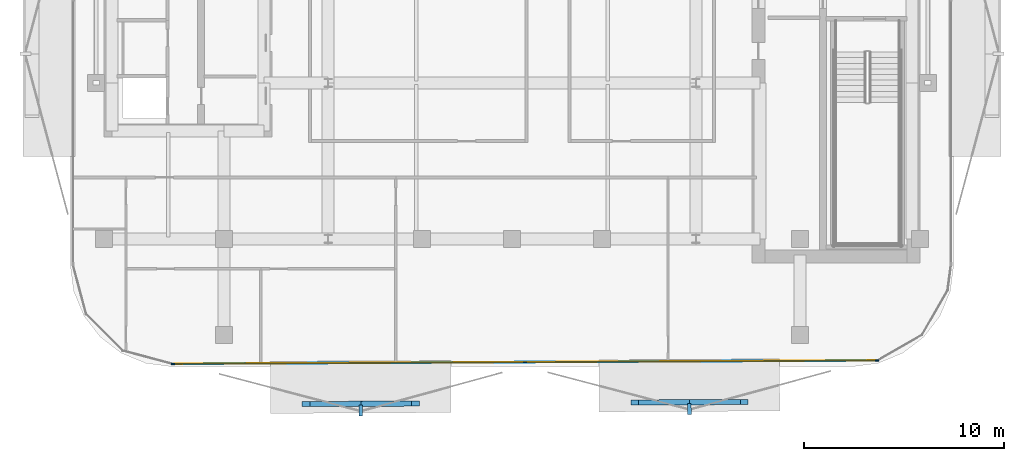
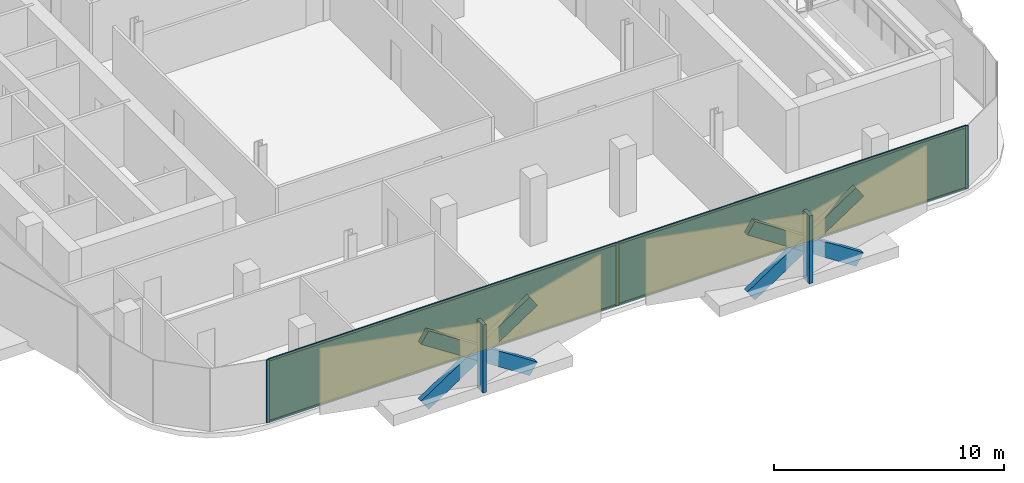
# One storey, part 7 of 14: 13 members, 2 plates, 1 curtain wall.
"""IFC4 building model written with IfcOpenShell, lengths in metres."""

from ifc_helpers import new_model, si_unit, direction, frame, frame_2d, origin, origin_2d, place, context, subcontext, project, spatial, rectangle, extrude, material, layer, layer_set, material_profile, profile_set, type_object, element, aggregate, save


model = new_model("IFC4")

# Units and contexts
model_context = context("Model", 3, precision=1e-05, world=origin(), true_north=direction((0.0, 1.0)))
body_context = subcontext(model_context, "Body", "Model", "MODEL_VIEW")
ifc_project = project(units=[si_unit("LENGTHUNIT", "METRE"), si_unit("AREAUNIT", "SQUARE_METRE"), si_unit("VOLUMEUNIT", "CUBIC_METRE"), si_unit("PLANEANGLEUNIT", "RADIAN"), si_unit("MASSUNIT", "GRAM", prefix="KILO")], contexts=[model_context])

# Member
ifc_material_1 = material(Name="Anodised Bronze Aluminium 6063-T6", Category="aluminium")
ifc_material_profile_1 = material_profile(ifc_material_1, rectangle(XDim=0.260009765625, YDim=0.699951171875, at=origin_2d()))
ifc_profile_set_1 = profile_set([ifc_material_profile_1], Name="Anodised Bronze Aluminium 6063-T6")
member_type_1 = type_object("IfcMemberType", Name="Bronze Diamond Solar-Screen Lattice Rib BDL-700", PredefinedType="MULLION", material=ifc_profile_set_1)
site_placement = place(None, origin())
building_placement = place(site_placement, origin())
storey_placement = place(building_placement, frame((0.0, 0.0, 236.800048828125)))
member_1_placement = place(storey_placement, frame((11.6142578125, -26.761962890625, -0.130126953125), z_axis=(-0.835726065421, -0.004021852556, 0.549131831419), x_axis=(-0.007495814743, 0.999963565539, -0.004084159052)))
member_1 = element("IfcMember", 1, at=member_1_placement, type_object=member_type_1, Name="L55 Bronze Diamond Solar Screen Lattice Rib 369A", PredefinedType="MULLION", context=body_context, shape_type="SweptSolid", body=[
    extrude(rectangle(XDim=0.260009765625, YDim=0.699951171875, at=origin_2d()), origin(), (0.0, 0.0, 1.0), 6.555908203125),
])

member_2_placement = place(storey_placement, frame((6.13525390625, -26.788330078125, -0.130126953125), z_axis=(0.835726065421, 0.004021852556, 0.549131831419), x_axis=(0.007495814743, -0.999963565539, -0.004084159052)))
member_2 = element("IfcMember", 2, at=member_2_placement, type_object=member_type_1, Name="L55 Bronze Diamond Solar Screen Lattice Rib 369B", PredefinedType="MULLION", context=body_context, shape_type="SweptSolid", body=[
    extrude(rectangle(XDim=0.260009765625, YDim=0.699951171875, at=origin_2d()), origin(), (0.0, 0.0, 1.0), 6.555908203125),
])

member_3_placement = place(storey_placement, frame((-4.822998046875, -26.84130859375, -0.130126953125), z_axis=(-0.835726065421, -0.004021852556, 0.549131831419), x_axis=(-0.007495814743, 0.999963565539, -0.004084159052)))
member_3 = element("IfcMember", 3, at=member_3_placement, type_object=member_type_1, Name="L55 Bronze Diamond Solar Screen Lattice Rib 370A", PredefinedType="MULLION", context=body_context, shape_type="SweptSolid", body=[
    extrude(rectangle(XDim=0.260009765625, YDim=0.699951171875, at=origin_2d()), origin(), (0.0, 0.0, 1.0), 6.555908203125),
])

member_4_placement = place(storey_placement, frame((-10.302001953125, -26.86767578125, -0.130126953125), z_axis=(0.835726065421, 0.004021852556, 0.549131831419), x_axis=(0.007495814743, -0.999963565539, -0.004084159052)))
member_4 = element("IfcMember", 4, at=member_4_placement, type_object=member_type_1, Name="L55 Bronze Diamond Solar Screen Lattice Rib 370B", PredefinedType="MULLION", context=body_context, shape_type="SweptSolid", body=[
    extrude(rectangle(XDim=0.260009765625, YDim=0.699951171875, at=origin_2d()), origin(), (0.0, 0.0, 1.0), 6.555908203125),
])

ifc_material_2 = material(Name="Anodised Bronze Aluminium 6063-T6", Category="aluminium")
ifc_material_profile_2 = material_profile(ifc_material_2, rectangle(XDim=0.179931640625, YDim=0.5400390625, at=origin_2d()))
ifc_profile_set_2 = profile_set([ifc_material_profile_2], Name="Anodised Bronze Aluminium 6063-T6")
member_type_2 = type_object("IfcMemberType", Name="Bronze Solar-Screen Vertical Fold Fin BSF-540", PredefinedType="MULLION", material=ifc_profile_set_2)
member_5_placement = place(storey_placement, frame((8.87646484375, -27.115234375, -0.130126953125), z_axis=(0.0, 0.0, 1.0), x_axis=(-0.999988059021, -0.004886902454, 0.0)))
member_5 = element("IfcMember", 5, at=member_5_placement, type_object=member_type_2, Name="L55 Bronze Solar Screen Vertical Fin 369", PredefinedType="MULLION", context=body_context, shape_type="SweptSolid", body=[
    extrude(rectangle(XDim=0.179931640625, YDim=0.5400390625, at=origin_2d()), origin(), (0.0, 0.0, 1.0), 3.60009765625),
])

member_6_placement = place(storey_placement, frame((-7.560791015625, -27.194580078125, -0.130126953125), z_axis=(0.0, 0.0, 1.0), x_axis=(-0.999988059021, -0.004886902454, 0.0)))
member_6 = element("IfcMember", 6, at=member_6_placement, type_object=member_type_2, Name="L55 Bronze Solar Screen Vertical Fin 370", PredefinedType="MULLION", context=body_context, shape_type="SweptSolid", body=[
    extrude(rectangle(XDim=0.179931640625, YDim=0.5400390625, at=origin_2d()), origin(), (0.0, 0.0, 1.0), 3.60009765625),
])

ifc_material_3 = material(Name="Anodised Bronze Aluminium 6063-T6", Category="aluminium")
ifc_material_profile_3 = material_profile(ifc_material_3, rectangle(XDim=0.06005859375, YDim=0.159912109375, at=origin_2d()))
ifc_profile_set_3 = profile_set([ifc_material_profile_3], Name="Anodised Bronze Aluminium 6063-T6")
member_type_3 = type_object("IfcMemberType", Name="CW-Z4 Mullion 60x160", PredefinedType="MULLION", material=ifc_profile_set_3)
member_7_placement = place(storey_placement, frame((18.25341796875, -24.68994140625, 0.0), z_axis=(0.0, 0.0, 1.0), x_axis=(0.004824986425, -0.999988359685, 0.0)))
member_7 = element("IfcMember", 7, at=member_7_placement, type_object=member_type_3, Name="CW-Z4 mullion 1", PredefinedType="MULLION", context=body_context, shape_type="SweptSolid", body=[
    extrude(rectangle(XDim=0.06005859375, YDim=0.159912109375, at=origin_2d()), origin(), (0.0, 0.0, 1.0), 3.33984375),
])

member_8_placement = place(storey_placement, frame((0.646240234375, -24.77490234375, 0.0), z_axis=(0.0, 0.0, 1.0), x_axis=(0.004824986425, -0.999988359685, 0.0)))
member_8 = element("IfcMember", 8, at=member_8_placement, type_object=member_type_3, Name="CW-Z4 mullion 2", PredefinedType="MULLION", context=body_context, shape_type="SweptSolid", body=[
    extrude(rectangle(XDim=0.06005859375, YDim=0.159912109375, at=origin_2d()), origin(), (0.0, 0.0, 1.0), 3.33984375),
])

member_9_placement = place(storey_placement, frame((-16.960693359375, -24.85986328125, 0.0), z_axis=(0.0, 0.0, 1.0), x_axis=(0.004824986425, -0.999988359685, 0.0)))
member_9 = element("IfcMember", 9, at=member_9_placement, type_object=member_type_3, Name="CW-Z4 mullion 3", PredefinedType="MULLION", context=body_context, shape_type="SweptSolid", body=[
    extrude(rectangle(XDim=0.06005859375, YDim=0.159912109375, at=origin_2d()), origin(), (0.0, 0.0, 1.0), 3.33984375),
])

ifc_material_4 = material(Name="Anodised Bronze Aluminium 6063-T6", Category="aluminium")
ifc_material_profile_4 = material_profile(ifc_material_4, rectangle(XDim=0.06005859375, YDim=0.125, at=origin_2d()))
ifc_profile_set_4 = profile_set([ifc_material_profile_4], Name="Anodised Bronze Aluminium 6063-T6")
member_type_4 = type_object("IfcMemberType", Name="CW-Z4 Transom 60x125", PredefinedType="USERDEFINED", material=ifc_profile_set_4)
member_10_placement = place(storey_placement, frame((18.223388671875, -24.690185546875, 0.030029296875), z_axis=(-0.999988412677, -0.004813991218, 0.0), x_axis=(0.004813991218, -0.999988412677, 0.0)))
member_10 = element("IfcMember", 10, at=member_10_placement, type_object=member_type_4, Name="CW-Z4 transom 1.1", ObjectType="TRANSOM", PredefinedType="USERDEFINED", context=body_context, shape_type="SweptSolid", body=[
    extrude(rectangle(XDim=0.06005859375, YDim=0.125, at=origin_2d()), origin(), (0.0, 0.0, 1.0), 17.54736328125),
])

member_11_placement = place(storey_placement, frame((18.223388671875, -24.690185546875, 3.31005859375), z_axis=(-0.999988412677, -0.004813991218, 0.0), x_axis=(0.004813991218, -0.999988412677, 0.0)))
member_11 = element("IfcMember", 11, at=member_11_placement, type_object=member_type_4, Name="CW-Z4 transom 1.2", ObjectType="TRANSOM", PredefinedType="USERDEFINED", context=body_context, shape_type="SweptSolid", body=[
    extrude(rectangle(XDim=0.06005859375, YDim=0.125, at=origin_2d()), origin(), (0.0, 0.0, 1.0), 17.54736328125),
])

member_12_placement = place(storey_placement, frame((0.616455078125, -24.775146484375, 0.030029296875), z_axis=(-0.999988413, -0.004813924241, 0.0), x_axis=(0.004813924241, -0.999988413, 0.0)))
member_12 = element("IfcMember", 12, at=member_12_placement, type_object=member_type_4, Name="CW-Z4 transom 2.1", ObjectType="TRANSOM", PredefinedType="USERDEFINED", context=body_context, shape_type="SweptSolid", body=[
    extrude(rectangle(XDim=0.06005859375, YDim=0.125, at=origin_2d()), origin(), (0.0, 0.0, 1.0), 17.547607421875),
])

member_13_placement = place(storey_placement, frame((0.616455078125, -24.775146484375, 3.31005859375), z_axis=(-0.999988413, -0.004813924241, 0.0), x_axis=(0.004813924241, -0.999988413, 0.0)))
member_13 = element("IfcMember", 13, at=member_13_placement, type_object=member_type_4, Name="CW-Z4 transom 2.2", ObjectType="TRANSOM", PredefinedType="USERDEFINED", context=body_context, shape_type="SweptSolid", body=[
    extrude(rectangle(XDim=0.06005859375, YDim=0.125, at=origin_2d()), origin(), (0.0, 0.0, 1.0), 17.547607421875),
])

# Plate
ifc_material_5 = material(Name="Low-E Solar Control Laminated Glass", Category="glass")
ifc_layer_1 = layer(ifc_material_5, 0.030029296875, Name="Low-E Solar Control Laminated Glass")
ifc_layer_set_1 = layer_set([ifc_layer_1], Name="Low-E Solar Control Laminated Glass")
plate_type = type_object("IfcPlateType", Name="CW-Z4 Low-E Double Glazed Panel 30mm", PredefinedType="CURTAIN_PANEL", material=ifc_layer_set_1)
plate_1_placement = place(storey_placement, frame((9.449951171875, -24.732421875, 0.06005859375), z_axis=(0.0, 0.0, 1.0), x_axis=(-0.999988359685, -0.004824986425, 0.0)))
plate_1 = element("IfcPlate", 14, at=plate_1_placement, type_object=plate_type, Name="CW-Z4 panel 1.1", PredefinedType="CURTAIN_PANEL", context=body_context, shape_type="SweptSolid", body=[
    extrude(rectangle(XDim=17.54736328125, YDim=0.030029296875, at=origin_2d()), origin(), (0.0, 0.0, 1.0), 3.219970703125),
])

plate_2_placement = place(storey_placement, frame((-8.1572265625, -24.8173828125, 0.06005859375), z_axis=(0.0, 0.0, 1.0), x_axis=(-0.999988359685, -0.004824986425, 0.0)))
plate_2 = element("IfcPlate", 15, at=plate_2_placement, type_object=plate_type, Name="CW-Z4 panel 2.1", PredefinedType="CURTAIN_PANEL", context=body_context, shape_type="SweptSolid", body=[
    extrude(rectangle(XDim=17.54736328125, YDim=0.030029296875, at=origin_2d()), origin(), (0.0, 0.0, 1.0), 3.219970703125),
])

# Site, building, storey
site = spatial("IfcSite", under=ifc_project, at=site_placement, CompositionType="ELEMENT")
building = spatial("IfcBuilding", under=site, at=building_placement, Name="Khairoan Windgate Tower", CompositionType="ELEMENT")
storey = spatial("IfcBuildingStorey", under=building, at=storey_placement, Name="L55", CompositionType="ELEMENT", Elevation=236.800048828125)

# Curtain wall
ifc_material_6 = material(Name="Anodised Bronze Aluminium 6063-T6", Category="aluminium")
ifc_layer_2 = layer(ifc_material_6, 0.159912109375, Name="Anodised Bronze Aluminium 6063-T6")
ifc_layer_set_2 = layer_set([ifc_layer_2], Name="Anodised Bronze Aluminium 6063-T6")
curtain_wall_type = type_object("IfcCurtainWallType", Name="Sky Residence Unitised Curtain Wall CW-Z4", PredefinedType="NOTDEFINED", material=ifc_layer_set_2)
curtain_wall_placement = place(storey_placement, frame((18.283447265625, -24.689697265625, 0.0), z_axis=(0.0, 0.0, 1.0), x_axis=(-0.999988330836, -0.004830961808, 0.0)))
curtain_wall = element("IfcCurtainWall", 16, at=curtain_wall_placement, inside=storey, type_object=curtain_wall_type, Name="L55 Unitised Curtain Wall 1", PredefinedType="NOTDEFINED", context=body_context, shape_type="SweptSolid", body=[
    extrude(rectangle(XDim=35.274658203125, YDim=0.010009765625, at=frame_2d((17.63720703125, 0.0))), origin(), (0.0, 0.0, 1.0), 3.33984375),
])

aggregate(curtain_wall, [member_7, member_8, member_9, member_10, member_11, plate_1, member_12, member_13, plate_2, member_1, member_2, member_5, member_3, member_4, member_6])

save(model, "model.ifc")
